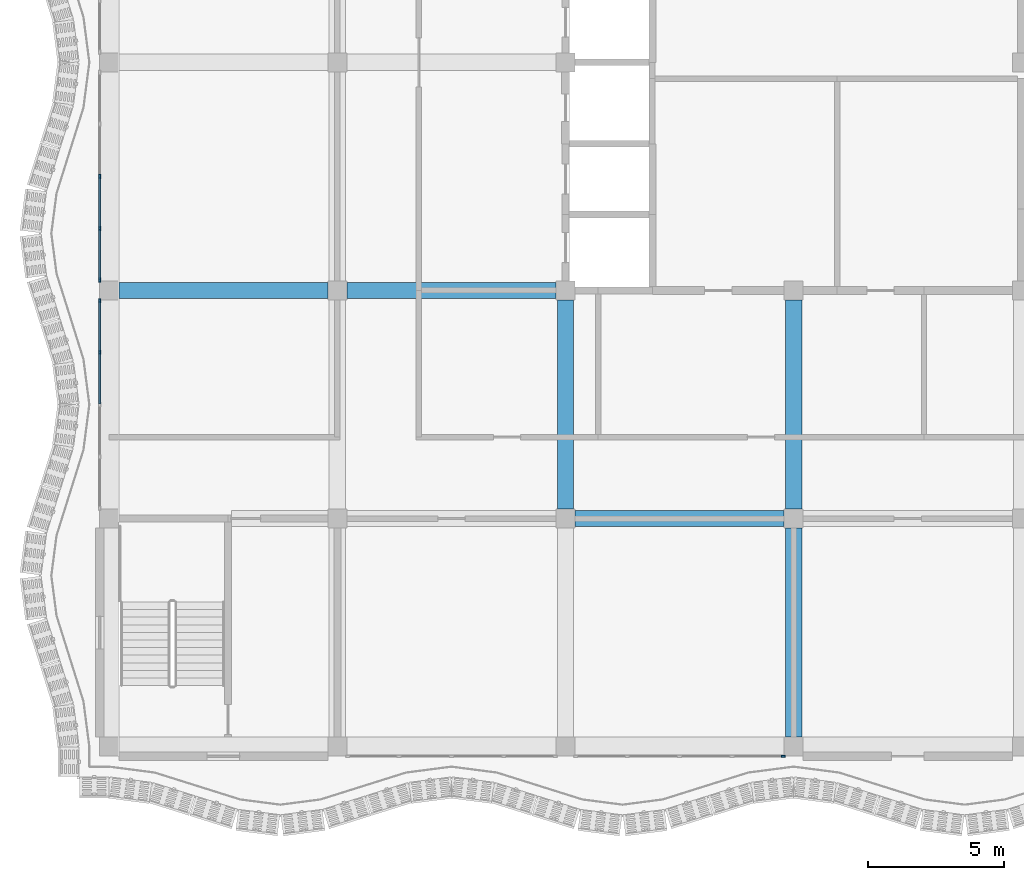
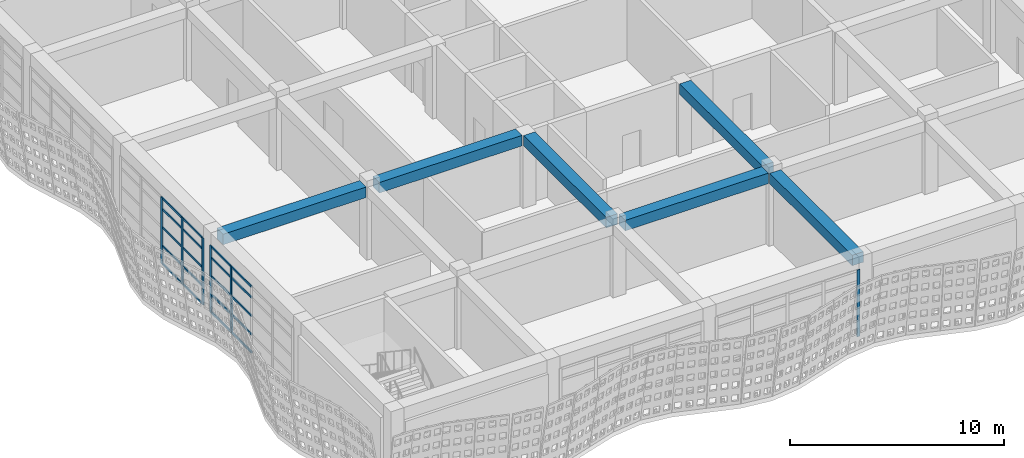
# One storey, part 4 of 163: 26 members, 6 beams, 3 elements without a shape of their own.
"""IFC4 building model written with IfcOpenShell, lengths in metres."""

from ifc_helpers import new_model, si_unit, direction, frame, origin, origin_2d, place, context, subcontext, project, spatial, rectangle, extrude, material, material_profile, profile_set, type_object, element, aggregate, save


model = new_model("IFC4")

# Units and contexts
model_context = context("Model", 3, precision=1e-05, world=origin(), true_north=direction((0.0, 1.0)))
body_context = subcontext(model_context, "Body", "Model", "MODEL_VIEW")
ifc_project = project(units=[si_unit("LENGTHUNIT", "METRE"), si_unit("AREAUNIT", "SQUARE_METRE"), si_unit("VOLUMEUNIT", "CUBIC_METRE"), si_unit("PLANEANGLEUNIT", "RADIAN"), si_unit("MASSUNIT", "GRAM", prefix="KILO")], contexts=[model_context])

# Site, building, storey
site_placement = place(None, origin())
site = spatial("IfcSite", under=ifc_project, at=site_placement, CompositionType="ELEMENT")
building_placement = place(site_placement, origin())
building = spatial("IfcBuilding", under=site, at=building_placement, Name="Rain Tree Exposition and Congress Centre", CompositionType="ELEMENT")
storey_placement = place(building_placement, frame((0.0, 0.0, 10.5)))
storey = spatial("IfcBuildingStorey", under=building, at=storey_placement, Name="L02", CompositionType="ELEMENT", Elevation=10.5)

# Beams
ifc_material_1 = material(Name="Precast concrete C50/60", Category="concrete")
ifc_material_profile_1 = material_profile(ifc_material_1, rectangle(XDim=0.60009765625, YDim=0.60009765625, at=origin_2d()), Name="RC 600x600")
ifc_profile_set_1 = profile_set([ifc_material_profile_1], Name="Precast concrete C50/60")
beam_type = type_object("IfcBeamType", Name="Precast beam 600x600", PredefinedType="BEAM", material=ifc_profile_set_1)
beam_placement = place(storey_placement, frame((17.14990234375, 8.39990234375, 3.85009765625), z_axis=(1.0, 0.0, 0.0), x_axis=(0.0, 1.0, 0.0)))
element("IfcBeam", 1, at=beam_placement, inside=storey, type_object=beam_type, Name="wing/beam/L02/L03/017", PredefinedType="BEAM", context=body_context, shape_type="SweptSolid", body=[
    extrude(rectangle(XDim=0.60009765625, YDim=0.60009765625, at=origin_2d()), origin(), (0.0, 0.0, 1.0), 7.7001953125),
])
for number, where, z_axis, x_axis, name in (
    (2, (0.35009765625, 16.800048828125, 3.85009765625), (1.0, 0.0, 0.0), (0.0, 1.0, 0.0), "wing/beam/L02/L03/025"),
    (3, (8.75, 16.800048828125, 3.85009765625), (1.0, 0.0, 0.0), (0.0, 1.0, 0.0), "wing/beam/L02/L03/027"),
    (4, (16.800048828125, 8.75, 3.85009765625), (0.0, 1.0, 0.0), (-1.0, 0.0, 0.0), "wing/beam/L02/L03/028"),
    (5, (25.199951171875, 0.35009765625, 3.85009765625), (0.0, 1.0, 0.0), (-1.0, 0.0, 0.0), "wing/beam/L02/L03/034"),
    (6, (25.199951171875, 8.75, 3.85009765625), (0.0, 1.0, 0.0), (-1.0, 0.0, 0.0), "wing/beam/L02/L03/036"),
):
    element("IfcBeam", number, at=place(storey_placement, frame(where, z_axis=z_axis, x_axis=x_axis)), inside=storey, type_object=beam_type, Name=name, PredefinedType="BEAM", context=body_context, shape_type="SweptSolid", body=[
        extrude(rectangle(XDim=0.60009765625, YDim=0.60009765625, at=origin_2d()), origin(), (0.0, 0.0, 1.0), 7.699951171875),
    ])

# Curtain wall, member
ifc_material_2 = material(Name="Aluminium curtain wall", Category="aluminium")
curtain_wall_type = type_object("IfcCurtainWallType", Name="Wing curtain wall 1925", PredefinedType="NOTDEFINED", material=ifc_material_2)
curtain_wall_1_placement = place(storey_placement, origin())
curtain_wall_1 = element("IfcCurtainWall", 7, at=curtain_wall_1_placement, inside=storey, type_object=curtain_wall_type, Name="Curtain wall CWW302", PredefinedType="NOTDEFINED")
ifc_material_3 = material(Name="Aluminium", Category="aluminium")
ifc_material_profile_2 = material_profile(ifc_material_3, rectangle(XDim=0.06005859375, YDim=0.159912109375, at=origin_2d()), Name="Aluminium 60x160")
ifc_profile_set_2 = profile_set([ifc_material_profile_2], Name="Aluminium")
member_type_1 = type_object("IfcMemberType", Name="Wing mullion 60x160", PredefinedType="MULLION", material=ifc_profile_set_2)
member_1_placement = place(storey_placement, frame((24.820068359375, -0.35009765625, 0.0), z_axis=(0.0, 0.0, 1.0), x_axis=(0.0, 1.0, 0.0)))
member_1 = element("IfcMember", 8, at=member_1_placement, type_object=member_type_1, Name="CWW302 mullion 5", PredefinedType="MULLION", context=body_context, shape_type="SweptSolid", body=[
    extrude(rectangle(XDim=0.06005859375, YDim=0.159912109375, at=origin_2d()), origin(), (0.0, 0.0, 1.0), 3.800048828125),
])
aggregate(curtain_wall_1, [member_1])

# Curtain wall, members
curtain_wall_2_placement = place(storey_placement, origin())
curtain_wall_2 = element("IfcCurtainWall", 9, at=curtain_wall_2_placement, inside=storey, type_object=curtain_wall_type, Name="Curtain wall CWW308", PredefinedType="NOTDEFINED")
member_2_placement = place(storey_placement, frame((-0.35009765625, 14.52490234375, 0.0), z_axis=(0.0, 0.0, 1.0), x_axis=(-1.0, 0.0, 0.0)))
member_2 = element("IfcMember", 10, at=member_2_placement, type_object=member_type_1, Name="CWW308 mullion 4", PredefinedType="MULLION", context=body_context, shape_type="SweptSolid", body=[
    extrude(rectangle(XDim=0.06005859375, YDim=0.159912109375, at=origin_2d()), origin(), (0.0, 0.0, 1.0), 3.800048828125),
])
member_3_placement = place(storey_placement, frame((-0.35009765625, 16.419921875, 0.0), z_axis=(0.0, 0.0, 1.0), x_axis=(-1.0, 0.0, 0.0)))
member_3 = element("IfcMember", 11, at=member_3_placement, type_object=member_type_1, Name="CWW308 mullion 5", PredefinedType="MULLION", context=body_context, shape_type="SweptSolid", body=[
    extrude(rectangle(XDim=0.06005859375, YDim=0.159912109375, at=origin_2d()), origin(), (0.0, 0.0, 1.0), 3.800048828125),
])

curtain_wall_3_placement = place(storey_placement, origin())
curtain_wall_3 = element("IfcCurtainWall", 12, at=curtain_wall_3_placement, inside=storey, type_object=curtain_wall_type, Name="Curtain wall CWW309", PredefinedType="NOTDEFINED")
member_4_placement = place(storey_placement, frame((-0.35009765625, 17.179931640625, 0.0), z_axis=(0.0, 0.0, 1.0), x_axis=(-1.0, 0.0, 0.0)))
member_4 = element("IfcMember", 13, at=member_4_placement, type_object=member_type_1, Name="CWW309 mullion 1", PredefinedType="MULLION", context=body_context, shape_type="SweptSolid", body=[
    extrude(rectangle(XDim=0.06005859375, YDim=0.159912109375, at=origin_2d()), origin(), (0.0, 0.0, 1.0), 3.800048828125),
])
member_5_placement = place(storey_placement, frame((-0.35009765625, 19.074951171875, 0.0), z_axis=(0.0, 0.0, 1.0), x_axis=(-1.0, 0.0, 0.0)))
member_5 = element("IfcMember", 14, at=member_5_placement, type_object=member_type_1, Name="CWW309 mullion 2", PredefinedType="MULLION", context=body_context, shape_type="SweptSolid", body=[
    extrude(rectangle(XDim=0.06005859375, YDim=0.159912109375, at=origin_2d()), origin(), (0.0, 0.0, 1.0), 3.800048828125),
])
member_6_placement = place(storey_placement, frame((-0.35009765625, 21.0, 0.0), z_axis=(0.0, 0.0, 1.0), x_axis=(-1.0, 0.0, 0.0)))
member_6 = element("IfcMember", 15, at=member_6_placement, type_object=member_type_1, Name="CWW309 mullion 3", PredefinedType="MULLION", context=body_context, shape_type="SweptSolid", body=[
    extrude(rectangle(XDim=0.06005859375, YDim=0.159912109375, at=origin_2d()), origin(), (0.0, 0.0, 1.0), 3.800048828125),
])

# Member
ifc_material_4 = material(Name="Aluminium", Category="aluminium")
ifc_material_profile_3 = material_profile(ifc_material_4, rectangle(XDim=0.06005859375, YDim=0.1201171875, at=origin_2d()), Name="Aluminium 60x120")
ifc_profile_set_3 = profile_set([ifc_material_profile_3], Name="Aluminium")
member_type_2 = type_object("IfcMemberType", Name="Wing transom 60x120", PredefinedType="USERDEFINED", material=ifc_profile_set_3)
member_7_placement = place(storey_placement, frame((-0.35009765625, 12.6298828125, 0.030029296875), z_axis=(0.0, 1.0, 0.0), x_axis=(-1.0, 0.0, 0.0)))
member_7 = element("IfcMember", 16, at=member_7_placement, type_object=member_type_2, Name="CWW308 transom 3.1", ObjectType="TRANSOM", PredefinedType="USERDEFINED", context=body_context, shape_type="SweptSolid", body=[
    extrude(rectangle(XDim=0.06005859375, YDim=0.1201171875, at=origin_2d()), origin(), (0.0, 0.0, 1.0), 1.865234375),
])

member_8_placement = place(storey_placement, frame((-0.35009765625, 12.6298828125, 1.050048828125), z_axis=(0.0, 1.0, 0.0), x_axis=(-1.0, 0.0, 0.0)))
member_8 = element("IfcMember", 17, at=member_8_placement, type_object=member_type_2, Name="CWW308 transom 3.2", ObjectType="TRANSOM", PredefinedType="USERDEFINED", context=body_context, shape_type="SweptSolid", body=[
    extrude(rectangle(XDim=0.06005859375, YDim=0.1201171875, at=origin_2d()), origin(), (0.0, 0.0, 1.0), 1.865234375),
])

member_9_placement = place(storey_placement, frame((-0.35009765625, 12.6298828125, 2.10009765625), z_axis=(0.0, 1.0, 0.0), x_axis=(-1.0, 0.0, 0.0)))
member_9 = element("IfcMember", 18, at=member_9_placement, type_object=member_type_2, Name="CWW308 transom 3.3", ObjectType="TRANSOM", PredefinedType="USERDEFINED", context=body_context, shape_type="SweptSolid", body=[
    extrude(rectangle(XDim=0.06005859375, YDim=0.1201171875, at=origin_2d()), origin(), (0.0, 0.0, 1.0), 1.865234375),
])

member_10_placement = place(storey_placement, frame((-0.35009765625, 12.6298828125, 3.14990234375), z_axis=(0.0, 1.0, 0.0), x_axis=(-1.0, 0.0, 0.0)))
member_10 = element("IfcMember", 19, at=member_10_placement, type_object=member_type_2, Name="CWW308 transom 3.4", ObjectType="TRANSOM", PredefinedType="USERDEFINED", context=body_context, shape_type="SweptSolid", body=[
    extrude(rectangle(XDim=0.06005859375, YDim=0.1201171875, at=origin_2d()), origin(), (0.0, 0.0, 1.0), 1.865234375),
])

member_11_placement = place(storey_placement, frame((-0.35009765625, 12.6298828125, 3.77001953125), z_axis=(0.0, 1.0, 0.0), x_axis=(-1.0, 0.0, 0.0)))
member_11 = element("IfcMember", 20, at=member_11_placement, type_object=member_type_2, Name="CWW308 transom 3.5", ObjectType="TRANSOM", PredefinedType="USERDEFINED", context=body_context, shape_type="SweptSolid", body=[
    extrude(rectangle(XDim=0.06005859375, YDim=0.1201171875, at=origin_2d()), origin(), (0.0, 0.0, 1.0), 1.865234375),
])

member_12_placement = place(storey_placement, frame((-0.35009765625, 14.554931640625, 0.030029296875), z_axis=(0.0, 1.0, 0.0), x_axis=(-1.0, 0.0, 0.0)))
member_12 = element("IfcMember", 21, at=member_12_placement, type_object=member_type_2, Name="CWW308 transom 4.1", ObjectType="TRANSOM", PredefinedType="USERDEFINED", context=body_context, shape_type="SweptSolid", body=[
    extrude(rectangle(XDim=0.06005859375, YDim=0.1201171875, at=origin_2d()), origin(), (0.0, 0.0, 1.0), 1.8349609375),
])

member_13_placement = place(storey_placement, frame((-0.35009765625, 14.554931640625, 1.050048828125), z_axis=(0.0, 1.0, 0.0), x_axis=(-1.0, 0.0, 0.0)))
member_13 = element("IfcMember", 22, at=member_13_placement, type_object=member_type_2, Name="CWW308 transom 4.2", ObjectType="TRANSOM", PredefinedType="USERDEFINED", context=body_context, shape_type="SweptSolid", body=[
    extrude(rectangle(XDim=0.06005859375, YDim=0.1201171875, at=origin_2d()), origin(), (0.0, 0.0, 1.0), 1.8349609375),
])

member_14_placement = place(storey_placement, frame((-0.35009765625, 14.554931640625, 2.10009765625), z_axis=(0.0, 1.0, 0.0), x_axis=(-1.0, 0.0, 0.0)))
member_14 = element("IfcMember", 23, at=member_14_placement, type_object=member_type_2, Name="CWW308 transom 4.3", ObjectType="TRANSOM", PredefinedType="USERDEFINED", context=body_context, shape_type="SweptSolid", body=[
    extrude(rectangle(XDim=0.06005859375, YDim=0.1201171875, at=origin_2d()), origin(), (0.0, 0.0, 1.0), 1.8349609375),
])

member_15_placement = place(storey_placement, frame((-0.35009765625, 14.554931640625, 3.14990234375), z_axis=(0.0, 1.0, 0.0), x_axis=(-1.0, 0.0, 0.0)))
member_15 = element("IfcMember", 24, at=member_15_placement, type_object=member_type_2, Name="CWW308 transom 4.4", ObjectType="TRANSOM", PredefinedType="USERDEFINED", context=body_context, shape_type="SweptSolid", body=[
    extrude(rectangle(XDim=0.06005859375, YDim=0.1201171875, at=origin_2d()), origin(), (0.0, 0.0, 1.0), 1.8349609375),
])

member_16_placement = place(storey_placement, frame((-0.35009765625, 14.554931640625, 3.77001953125), z_axis=(0.0, 1.0, 0.0), x_axis=(-1.0, 0.0, 0.0)))
member_16 = element("IfcMember", 25, at=member_16_placement, type_object=member_type_2, Name="CWW308 transom 4.5", ObjectType="TRANSOM", PredefinedType="USERDEFINED", context=body_context, shape_type="SweptSolid", body=[
    extrude(rectangle(XDim=0.06005859375, YDim=0.1201171875, at=origin_2d()), origin(), (0.0, 0.0, 1.0), 1.8349609375),
])

aggregate(curtain_wall_2, [member_2, member_3, member_7, member_8, member_9, member_10, member_11, member_12, member_13, member_14, member_15, member_16])

member_17_placement = place(storey_placement, frame((-0.35009765625, 17.2099609375, 0.030029296875), z_axis=(0.0, 1.0, 0.0), x_axis=(-1.0, 0.0, 0.0)))
member_17 = element("IfcMember", 26, at=member_17_placement, type_object=member_type_2, Name="CWW309 transom 1.1", ObjectType="TRANSOM", PredefinedType="USERDEFINED", context=body_context, shape_type="SweptSolid", body=[
    extrude(rectangle(XDim=0.06005859375, YDim=0.1201171875, at=origin_2d()), origin(), (0.0, 0.0, 1.0), 1.8349609375),
])

member_18_placement = place(storey_placement, frame((-0.35009765625, 17.2099609375, 1.050048828125), z_axis=(0.0, 1.0, 0.0), x_axis=(-1.0, 0.0, 0.0)))
member_18 = element("IfcMember", 27, at=member_18_placement, type_object=member_type_2, Name="CWW309 transom 1.2", ObjectType="TRANSOM", PredefinedType="USERDEFINED", context=body_context, shape_type="SweptSolid", body=[
    extrude(rectangle(XDim=0.06005859375, YDim=0.1201171875, at=origin_2d()), origin(), (0.0, 0.0, 1.0), 1.8349609375),
])

member_19_placement = place(storey_placement, frame((-0.35009765625, 17.2099609375, 2.10009765625), z_axis=(0.0, 1.0, 0.0), x_axis=(-1.0, 0.0, 0.0)))
member_19 = element("IfcMember", 28, at=member_19_placement, type_object=member_type_2, Name="CWW309 transom 1.3", ObjectType="TRANSOM", PredefinedType="USERDEFINED", context=body_context, shape_type="SweptSolid", body=[
    extrude(rectangle(XDim=0.06005859375, YDim=0.1201171875, at=origin_2d()), origin(), (0.0, 0.0, 1.0), 1.8349609375),
])

member_20_placement = place(storey_placement, frame((-0.35009765625, 17.2099609375, 3.14990234375), z_axis=(0.0, 1.0, 0.0), x_axis=(-1.0, 0.0, 0.0)))
member_20 = element("IfcMember", 29, at=member_20_placement, type_object=member_type_2, Name="CWW309 transom 1.4", ObjectType="TRANSOM", PredefinedType="USERDEFINED", context=body_context, shape_type="SweptSolid", body=[
    extrude(rectangle(XDim=0.06005859375, YDim=0.1201171875, at=origin_2d()), origin(), (0.0, 0.0, 1.0), 1.8349609375),
])

member_21_placement = place(storey_placement, frame((-0.35009765625, 17.2099609375, 3.77001953125), z_axis=(0.0, 1.0, 0.0), x_axis=(-1.0, 0.0, 0.0)))
member_21 = element("IfcMember", 30, at=member_21_placement, type_object=member_type_2, Name="CWW309 transom 1.5", ObjectType="TRANSOM", PredefinedType="USERDEFINED", context=body_context, shape_type="SweptSolid", body=[
    extrude(rectangle(XDim=0.06005859375, YDim=0.1201171875, at=origin_2d()), origin(), (0.0, 0.0, 1.0), 1.8349609375),
])

member_22_placement = place(storey_placement, frame((-0.35009765625, 19.10498046875, 0.030029296875), z_axis=(0.0, 1.0, 0.0), x_axis=(-1.0, 0.0, 0.0)))
member_22 = element("IfcMember", 31, at=member_22_placement, type_object=member_type_2, Name="CWW309 transom 2.1", ObjectType="TRANSOM", PredefinedType="USERDEFINED", context=body_context, shape_type="SweptSolid", body=[
    extrude(rectangle(XDim=0.06005859375, YDim=0.1201171875, at=origin_2d()), origin(), (0.0, 0.0, 1.0), 1.864990234375),
])

member_23_placement = place(storey_placement, frame((-0.35009765625, 19.10498046875, 1.050048828125), z_axis=(0.0, 1.0, 0.0), x_axis=(-1.0, 0.0, 0.0)))
member_23 = element("IfcMember", 32, at=member_23_placement, type_object=member_type_2, Name="CWW309 transom 2.2", ObjectType="TRANSOM", PredefinedType="USERDEFINED", context=body_context, shape_type="SweptSolid", body=[
    extrude(rectangle(XDim=0.06005859375, YDim=0.1201171875, at=origin_2d()), origin(), (0.0, 0.0, 1.0), 1.864990234375),
])

member_24_placement = place(storey_placement, frame((-0.35009765625, 19.10498046875, 2.10009765625), z_axis=(0.0, 1.0, 0.0), x_axis=(-1.0, 0.0, 0.0)))
member_24 = element("IfcMember", 33, at=member_24_placement, type_object=member_type_2, Name="CWW309 transom 2.3", ObjectType="TRANSOM", PredefinedType="USERDEFINED", context=body_context, shape_type="SweptSolid", body=[
    extrude(rectangle(XDim=0.06005859375, YDim=0.1201171875, at=origin_2d()), origin(), (0.0, 0.0, 1.0), 1.864990234375),
])

member_25_placement = place(storey_placement, frame((-0.35009765625, 19.10498046875, 3.14990234375), z_axis=(0.0, 1.0, 0.0), x_axis=(-1.0, 0.0, 0.0)))
member_25 = element("IfcMember", 34, at=member_25_placement, type_object=member_type_2, Name="CWW309 transom 2.4", ObjectType="TRANSOM", PredefinedType="USERDEFINED", context=body_context, shape_type="SweptSolid", body=[
    extrude(rectangle(XDim=0.06005859375, YDim=0.1201171875, at=origin_2d()), origin(), (0.0, 0.0, 1.0), 1.864990234375),
])

member_26_placement = place(storey_placement, frame((-0.35009765625, 19.10498046875, 3.77001953125), z_axis=(0.0, 1.0, 0.0), x_axis=(-1.0, 0.0, 0.0)))
member_26 = element("IfcMember", 35, at=member_26_placement, type_object=member_type_2, Name="CWW309 transom 2.5", ObjectType="TRANSOM", PredefinedType="USERDEFINED", context=body_context, shape_type="SweptSolid", body=[
    extrude(rectangle(XDim=0.06005859375, YDim=0.1201171875, at=origin_2d()), origin(), (0.0, 0.0, 1.0), 1.864990234375),
])

aggregate(curtain_wall_3, [member_4, member_5, member_6, member_17, member_18, member_19, member_20, member_21, member_22, member_23, member_24, member_25, member_26])

save(model, "model.ifc")
